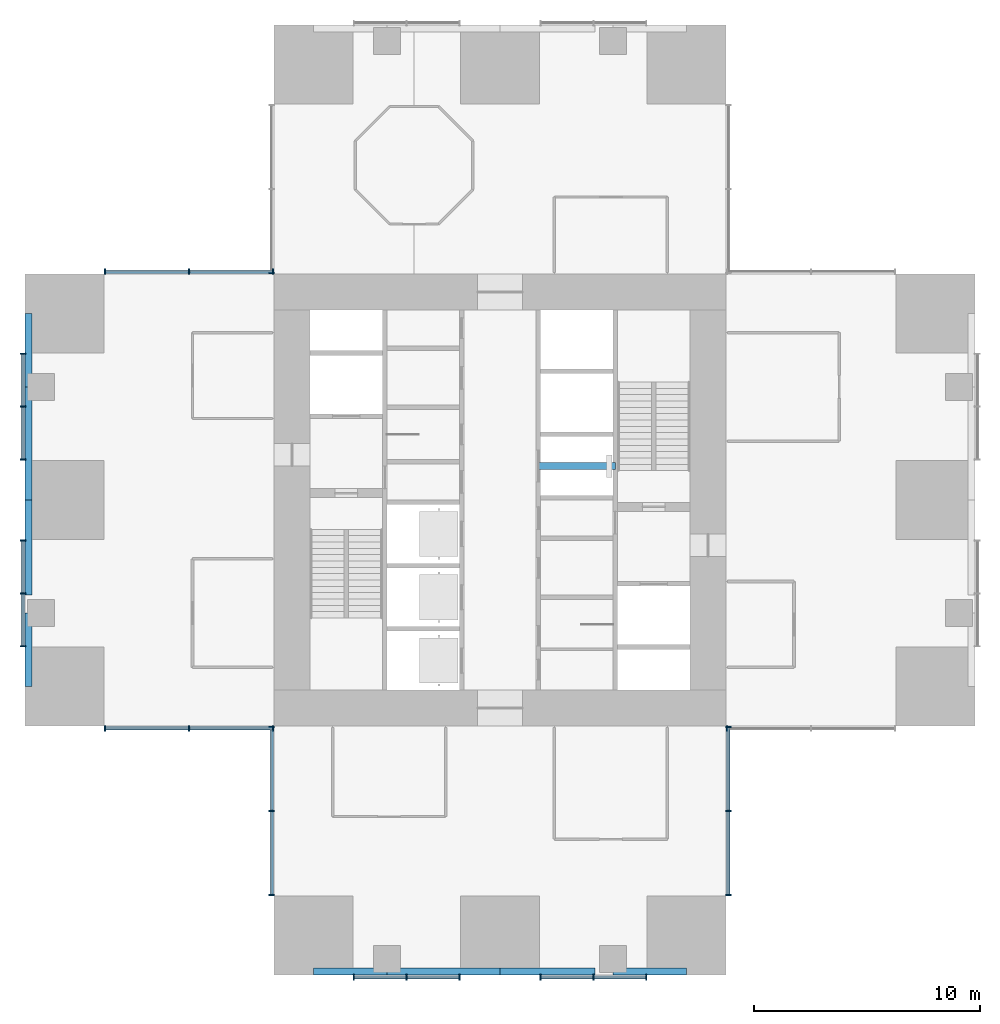
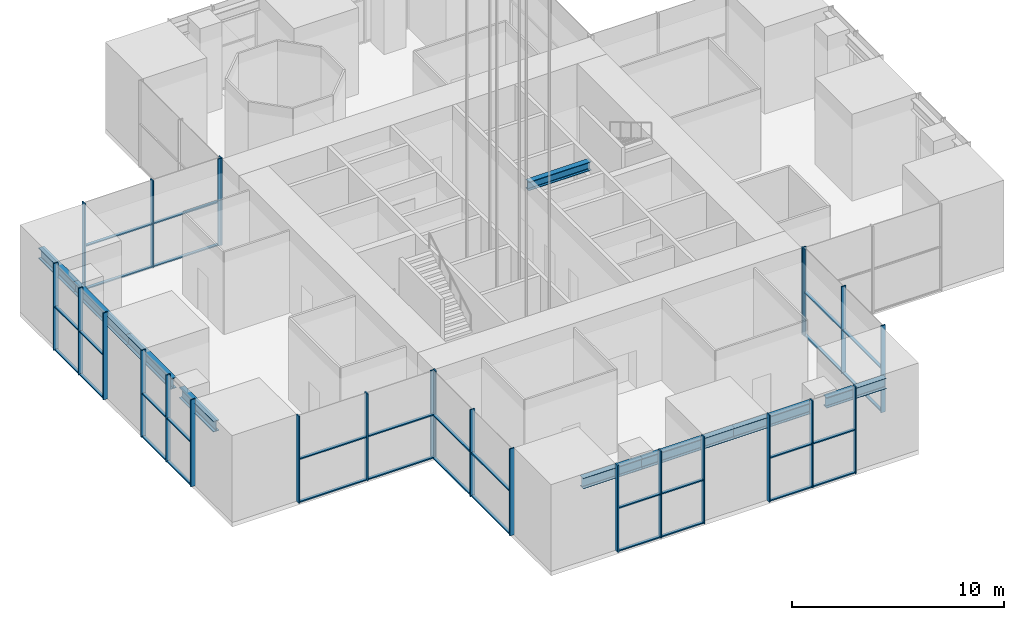
# One storey, part 2 of 16: 58 members, 9 beams, 10 elements without a shape of their own.
"""IFC4 building model written with IfcOpenShell, lengths in metres."""

from ifc_helpers import new_model, si_unit, direction, frame, origin, origin_2d, place, context, subcontext, project, spatial, rectangle, i_section, extrude, material, material_profile, profile_set, type_object, element, aggregate, save


model = new_model("IFC4")

# Units and contexts
model_context = context("Model", 3, precision=1e-05, world=origin(), true_north=direction((0.0, 1.0)))
body_context = subcontext(model_context, "Body", "Model", "MODEL_VIEW")
ifc_project = project(units=[si_unit("LENGTHUNIT", "METRE"), si_unit("AREAUNIT", "SQUARE_METRE"), si_unit("VOLUMEUNIT", "CUBIC_METRE"), si_unit("PLANEANGLEUNIT", "RADIAN"), si_unit("MASSUNIT", "GRAM", prefix="KILO")], contexts=[model_context])

# Site, building, storey
site_placement = place(None, origin())
site = spatial("IfcSite", under=ifc_project, at=site_placement, CompositionType="ELEMENT")
building_placement = place(site_placement, origin())
building = spatial("IfcBuilding", under=site, at=building_placement, Name="Svetlomir Tower", CompositionType="ELEMENT")
storey_placement = place(building_placement, frame((0.0, 0.0, 91.5)))
storey = spatial("IfcBuildingStorey", under=building, at=storey_placement, Name="L21", CompositionType="ELEMENT", Elevation=91.5)

# Curtain wall, members
ifc_material_1 = material(Name="Bronze anodised aluminium curtain wall", Category="aluminium")
curtain_wall_type = type_object("IfcCurtainWallType", Name="CURTAIN WALL CW2 SKY LOBBY", PredefinedType="NOTDEFINED", material=ifc_material_1)
curtain_wall_1_placement = place(storey_placement, origin())
curtain_wall_1 = element("IfcCurtainWall", 1, at=curtain_wall_1_placement, inside=storey, type_object=curtain_wall_type, Name="Curtain wall CW2 L21", PredefinedType="NOTDEFINED")
ifc_material_2 = material(Name="Bronze anodised aluminium", Category="aluminium")
ifc_material_profile_1 = material_profile(ifc_material_2, rectangle(XDim=0.06494140625, YDim=0.25, at=origin_2d()), Name="AL 65x250")
ifc_profile_set_1 = profile_set([ifc_material_profile_1], Name="Bronze anodised aluminium 6063-T6")
member_type_1 = type_object("IfcMemberType", Name="CW2 MULLION 65x250", PredefinedType="MULLION", material=ifc_profile_set_1)
member_1_placement = place(storey_placement, frame((14.532470703125, -0.10009765625, 0.0), z_axis=(0.0, 0.0, 1.0), x_axis=(1.0, 0.0, 0.0)))
member_1 = element("IfcMember", 2, at=member_1_placement, type_object=member_type_1, Name="CW2 mullion 1", PredefinedType="MULLION", context=body_context, shape_type="SweptSolid", body=[
    extrude(rectangle(XDim=0.06494140625, YDim=0.25, at=origin_2d()), origin(), (0.0, 0.0, 1.0), 5.0),
])
member_2_placement = place(storey_placement, frame((16.875, -0.10009765625, 0.0), z_axis=(0.0, 0.0, 1.0), x_axis=(1.0, 0.0, 0.0)))
member_2 = element("IfcMember", 3, at=member_2_placement, type_object=member_type_1, Name="CW2 mullion 2", PredefinedType="MULLION", context=body_context, shape_type="SweptSolid", body=[
    extrude(rectangle(XDim=0.06494140625, YDim=0.25, at=origin_2d()), origin(), (0.0, 0.0, 1.0), 5.0),
])
member_3_placement = place(storey_placement, frame((19.217529296875, -0.10009765625, 0.0), z_axis=(0.0, 0.0, 1.0), x_axis=(1.0, 0.0, 0.0)))
member_3 = element("IfcMember", 4, at=member_3_placement, type_object=member_type_1, Name="CW2 mullion 3", PredefinedType="MULLION", context=body_context, shape_type="SweptSolid", body=[
    extrude(rectangle(XDim=0.06494140625, YDim=0.25, at=origin_2d()), origin(), (0.0, 0.0, 1.0), 5.0),
])

curtain_wall_2_placement = place(storey_placement, origin())
curtain_wall_2 = element("IfcCurtainWall", 5, at=curtain_wall_2_placement, inside=storey, type_object=curtain_wall_type, Name="Curtain wall CW2 L21", PredefinedType="NOTDEFINED")
member_4_placement = place(storey_placement, frame((22.782470703125, -0.10009765625, 0.0), z_axis=(0.0, 0.0, 1.0), x_axis=(1.0, 0.0, 0.0)))
member_4 = element("IfcMember", 6, at=member_4_placement, type_object=member_type_1, Name="CW2 mullion 1", PredefinedType="MULLION", context=body_context, shape_type="SweptSolid", body=[
    extrude(rectangle(XDim=0.06494140625, YDim=0.25, at=origin_2d()), origin(), (0.0, 0.0, 1.0), 5.0),
])
member_5_placement = place(storey_placement, frame((25.125, -0.10009765625, 0.0), z_axis=(0.0, 0.0, 1.0), x_axis=(1.0, 0.0, 0.0)))
member_5 = element("IfcMember", 7, at=member_5_placement, type_object=member_type_1, Name="CW2 mullion 2", PredefinedType="MULLION", context=body_context, shape_type="SweptSolid", body=[
    extrude(rectangle(XDim=0.06494140625, YDim=0.25, at=origin_2d()), origin(), (0.0, 0.0, 1.0), 5.0),
])
member_6_placement = place(storey_placement, frame((27.467529296875, -0.10009765625, 0.0), z_axis=(0.0, 0.0, 1.0), x_axis=(1.0, 0.0, 0.0)))
member_6 = element("IfcMember", 8, at=member_6_placement, type_object=member_type_1, Name="CW2 mullion 3", PredefinedType="MULLION", context=body_context, shape_type="SweptSolid", body=[
    extrude(rectangle(XDim=0.06494140625, YDim=0.25, at=origin_2d()), origin(), (0.0, 0.0, 1.0), 5.0),
])

curtain_wall_3_placement = place(storey_placement, origin())
curtain_wall_3 = element("IfcCurtainWall", 9, at=curtain_wall_3_placement, inside=storey, type_object=curtain_wall_type, Name="Curtain wall CW2 L21", PredefinedType="NOTDEFINED")
member_7_placement = place(storey_placement, frame((31.10009765625, 3.532470703125, 0.0), z_axis=(0.0, 0.0, 1.0), x_axis=(0.0, 1.0, 0.0)))
member_7 = element("IfcMember", 10, at=member_7_placement, type_object=member_type_1, Name="CW2 mullion 1", PredefinedType="MULLION", context=body_context, shape_type="SweptSolid", body=[
    extrude(rectangle(XDim=0.06494140625, YDim=0.25, at=origin_2d()), origin(), (0.0, 0.0, 1.0), 5.0),
])
member_8_placement = place(storey_placement, frame((31.10009765625, 7.25, 0.0), z_axis=(0.0, 0.0, 1.0), x_axis=(0.0, 1.0, 0.0)))
member_8 = element("IfcMember", 11, at=member_8_placement, type_object=member_type_1, Name="CW2 mullion 2", PredefinedType="MULLION", context=body_context, shape_type="SweptSolid", body=[
    extrude(rectangle(XDim=0.06494140625, YDim=0.25, at=origin_2d()), origin(), (0.0, 0.0, 1.0), 5.0),
])
member_9_placement = place(storey_placement, frame((31.10009765625, 10.967529296875, 0.0), z_axis=(0.0, 0.0, 1.0), x_axis=(0.0, 1.0, 0.0)))
member_9 = element("IfcMember", 12, at=member_9_placement, type_object=member_type_1, Name="CW2 mullion 3", PredefinedType="MULLION", context=body_context, shape_type="SweptSolid", body=[
    extrude(rectangle(XDim=0.06494140625, YDim=0.25, at=origin_2d()), origin(), (0.0, 0.0, 1.0), 5.0),
])

# Curtain wall, member
curtain_wall_4_placement = place(storey_placement, origin())
curtain_wall_4 = element("IfcCurtainWall", 13, at=curtain_wall_4_placement, inside=storey, type_object=curtain_wall_type, Name="Curtain wall CW2 L21", PredefinedType="NOTDEFINED")
member_10_placement = place(storey_placement, frame((31.032470703125, 10.89990234375, 0.0), z_axis=(0.0, 0.0, 1.0), x_axis=(1.0, 0.0, 0.0)))
member_10 = element("IfcMember", 14, at=member_10_placement, type_object=member_type_1, Name="CW2 mullion 1", PredefinedType="MULLION", context=body_context, shape_type="SweptSolid", body=[
    extrude(rectangle(XDim=0.06494140625, YDim=0.25, at=origin_2d()), origin(), (0.0, 0.0, 1.0), 5.0),
])
aggregate(curtain_wall_4, [member_10])

curtain_wall_5_placement = place(storey_placement, origin())
curtain_wall_5 = element("IfcCurtainWall", 15, at=curtain_wall_5_placement, inside=storey, type_object=curtain_wall_type, Name="Curtain wall CW2 L21", PredefinedType="NOTDEFINED")
member_11_placement = place(storey_placement, frame((10.89990234375, 31.032470703125, 0.0), z_axis=(0.0, 0.0, 1.0), x_axis=(0.0, -1.0, 0.0)))
member_11 = element("IfcMember", 16, at=member_11_placement, type_object=member_type_1, Name="CW2 mullion 3", PredefinedType="MULLION", context=body_context, shape_type="SweptSolid", body=[
    extrude(rectangle(XDim=0.06494140625, YDim=0.25, at=origin_2d()), origin(), (0.0, 0.0, 1.0), 5.0),
])
aggregate(curtain_wall_5, [member_11])

# Curtain wall, members
curtain_wall_6_placement = place(storey_placement, origin())
curtain_wall_6 = element("IfcCurtainWall", 17, at=curtain_wall_6_placement, inside=storey, type_object=curtain_wall_type, Name="Curtain wall CW2 L21", PredefinedType="NOTDEFINED")
member_12_placement = place(storey_placement, frame((10.967529296875, 31.10009765625, 0.0), z_axis=(0.0, 0.0, 1.0), x_axis=(-1.0, 0.0, 0.0)))
member_12 = element("IfcMember", 18, at=member_12_placement, type_object=member_type_1, Name="CW2 mullion 1", PredefinedType="MULLION", context=body_context, shape_type="SweptSolid", body=[
    extrude(rectangle(XDim=0.06494140625, YDim=0.25, at=origin_2d()), origin(), (0.0, 0.0, 1.0), 5.0),
])
member_13_placement = place(storey_placement, frame((7.25, 31.10009765625, 0.0), z_axis=(0.0, 0.0, 1.0), x_axis=(-1.0, 0.0, 0.0)))
member_13 = element("IfcMember", 19, at=member_13_placement, type_object=member_type_1, Name="CW2 mullion 2", PredefinedType="MULLION", context=body_context, shape_type="SweptSolid", body=[
    extrude(rectangle(XDim=0.06494140625, YDim=0.25, at=origin_2d()), origin(), (0.0, 0.0, 1.0), 5.0),
])
member_14_placement = place(storey_placement, frame((3.532470703125, 31.10009765625, 0.0), z_axis=(0.0, 0.0, 1.0), x_axis=(-1.0, 0.0, 0.0)))
member_14 = element("IfcMember", 20, at=member_14_placement, type_object=member_type_1, Name="CW2 mullion 3", PredefinedType="MULLION", context=body_context, shape_type="SweptSolid", body=[
    extrude(rectangle(XDim=0.06494140625, YDim=0.25, at=origin_2d()), origin(), (0.0, 0.0, 1.0), 5.0),
])

curtain_wall_7_placement = place(storey_placement, origin())
curtain_wall_7 = element("IfcCurtainWall", 21, at=curtain_wall_7_placement, inside=storey, type_object=curtain_wall_type, Name="Curtain wall CW2 L21", PredefinedType="NOTDEFINED")
member_15_placement = place(storey_placement, frame((-0.10009765625, 27.467529296875, 0.0), z_axis=(0.0, 0.0, 1.0), x_axis=(0.0, -1.0, 0.0)))
member_15 = element("IfcMember", 22, at=member_15_placement, type_object=member_type_1, Name="CW2 mullion 1", PredefinedType="MULLION", context=body_context, shape_type="SweptSolid", body=[
    extrude(rectangle(XDim=0.06494140625, YDim=0.25, at=origin_2d()), origin(), (0.0, 0.0, 1.0), 5.0),
])
member_16_placement = place(storey_placement, frame((-0.10009765625, 25.125, 0.0), z_axis=(0.0, 0.0, 1.0), x_axis=(0.0, -1.0, 0.0)))
member_16 = element("IfcMember", 23, at=member_16_placement, type_object=member_type_1, Name="CW2 mullion 2", PredefinedType="MULLION", context=body_context, shape_type="SweptSolid", body=[
    extrude(rectangle(XDim=0.06494140625, YDim=0.25, at=origin_2d()), origin(), (0.0, 0.0, 1.0), 5.0),
])
member_17_placement = place(storey_placement, frame((-0.10009765625, 22.782470703125, 0.0), z_axis=(0.0, 0.0, 1.0), x_axis=(0.0, -1.0, 0.0)))
member_17 = element("IfcMember", 24, at=member_17_placement, type_object=member_type_1, Name="CW2 mullion 3", PredefinedType="MULLION", context=body_context, shape_type="SweptSolid", body=[
    extrude(rectangle(XDim=0.06494140625, YDim=0.25, at=origin_2d()), origin(), (0.0, 0.0, 1.0), 5.0),
])

curtain_wall_8_placement = place(storey_placement, origin())
curtain_wall_8 = element("IfcCurtainWall", 25, at=curtain_wall_8_placement, inside=storey, type_object=curtain_wall_type, Name="Curtain wall CW2 L21", PredefinedType="NOTDEFINED")
member_18_placement = place(storey_placement, frame((-0.10009765625, 19.217529296875, 0.0), z_axis=(0.0, 0.0, 1.0), x_axis=(0.0, -1.0, 0.0)))
member_18 = element("IfcMember", 26, at=member_18_placement, type_object=member_type_1, Name="CW2 mullion 1", PredefinedType="MULLION", context=body_context, shape_type="SweptSolid", body=[
    extrude(rectangle(XDim=0.06494140625, YDim=0.25, at=origin_2d()), origin(), (0.0, 0.0, 1.0), 5.0),
])
member_19_placement = place(storey_placement, frame((-0.10009765625, 16.875, 0.0), z_axis=(0.0, 0.0, 1.0), x_axis=(0.0, -1.0, 0.0)))
member_19 = element("IfcMember", 27, at=member_19_placement, type_object=member_type_1, Name="CW2 mullion 2", PredefinedType="MULLION", context=body_context, shape_type="SweptSolid", body=[
    extrude(rectangle(XDim=0.06494140625, YDim=0.25, at=origin_2d()), origin(), (0.0, 0.0, 1.0), 5.0),
])
member_20_placement = place(storey_placement, frame((-0.10009765625, 14.532470703125, 0.0), z_axis=(0.0, 0.0, 1.0), x_axis=(0.0, -1.0, 0.0)))
member_20 = element("IfcMember", 28, at=member_20_placement, type_object=member_type_1, Name="CW2 mullion 3", PredefinedType="MULLION", context=body_context, shape_type="SweptSolid", body=[
    extrude(rectangle(XDim=0.06494140625, YDim=0.25, at=origin_2d()), origin(), (0.0, 0.0, 1.0), 5.0),
])

curtain_wall_9_placement = place(storey_placement, origin())
curtain_wall_9 = element("IfcCurtainWall", 29, at=curtain_wall_9_placement, inside=storey, type_object=curtain_wall_type, Name="Curtain wall CW2 L21", PredefinedType="NOTDEFINED")
member_21_placement = place(storey_placement, frame((3.532470703125, 10.89990234375, 0.0), z_axis=(0.0, 0.0, 1.0), x_axis=(1.0, 0.0, 0.0)))
member_21 = element("IfcMember", 30, at=member_21_placement, type_object=member_type_1, Name="CW2 mullion 1", PredefinedType="MULLION", context=body_context, shape_type="SweptSolid", body=[
    extrude(rectangle(XDim=0.06494140625, YDim=0.25, at=origin_2d()), origin(), (0.0, 0.0, 1.0), 5.0),
])
member_22_placement = place(storey_placement, frame((7.25, 10.89990234375, 0.0), z_axis=(0.0, 0.0, 1.0), x_axis=(1.0, 0.0, 0.0)))
member_22 = element("IfcMember", 31, at=member_22_placement, type_object=member_type_1, Name="CW2 mullion 2", PredefinedType="MULLION", context=body_context, shape_type="SweptSolid", body=[
    extrude(rectangle(XDim=0.06494140625, YDim=0.25, at=origin_2d()), origin(), (0.0, 0.0, 1.0), 5.0),
])
member_23_placement = place(storey_placement, frame((10.967529296875, 10.89990234375, 0.0), z_axis=(0.0, 0.0, 1.0), x_axis=(1.0, 0.0, 0.0)))
member_23 = element("IfcMember", 32, at=member_23_placement, type_object=member_type_1, Name="CW2 mullion 3", PredefinedType="MULLION", context=body_context, shape_type="SweptSolid", body=[
    extrude(rectangle(XDim=0.06494140625, YDim=0.25, at=origin_2d()), origin(), (0.0, 0.0, 1.0), 5.0),
])

curtain_wall_10_placement = place(storey_placement, origin())
curtain_wall_10 = element("IfcCurtainWall", 33, at=curtain_wall_10_placement, inside=storey, type_object=curtain_wall_type, Name="Curtain wall CW2 L21", PredefinedType="NOTDEFINED")
member_24_placement = place(storey_placement, frame((10.89990234375, 10.967529296875, 0.0), z_axis=(0.0, 0.0, 1.0), x_axis=(0.0, -1.0, 0.0)))
member_24 = element("IfcMember", 34, at=member_24_placement, type_object=member_type_1, Name="CW2 mullion 1", PredefinedType="MULLION", context=body_context, shape_type="SweptSolid", body=[
    extrude(rectangle(XDim=0.06494140625, YDim=0.25, at=origin_2d()), origin(), (0.0, 0.0, 1.0), 5.0),
])
member_25_placement = place(storey_placement, frame((10.89990234375, 7.25, 0.0), z_axis=(0.0, 0.0, 1.0), x_axis=(0.0, -1.0, 0.0)))
member_25 = element("IfcMember", 35, at=member_25_placement, type_object=member_type_1, Name="CW2 mullion 2", PredefinedType="MULLION", context=body_context, shape_type="SweptSolid", body=[
    extrude(rectangle(XDim=0.06494140625, YDim=0.25, at=origin_2d()), origin(), (0.0, 0.0, 1.0), 5.0),
])
member_26_placement = place(storey_placement, frame((10.89990234375, 3.532470703125, 0.0), z_axis=(0.0, 0.0, 1.0), x_axis=(0.0, -1.0, 0.0)))
member_26 = element("IfcMember", 36, at=member_26_placement, type_object=member_type_1, Name="CW2 mullion 3", PredefinedType="MULLION", context=body_context, shape_type="SweptSolid", body=[
    extrude(rectangle(XDim=0.06494140625, YDim=0.25, at=origin_2d()), origin(), (0.0, 0.0, 1.0), 5.0),
])

# Member
ifc_material_3 = material(Name="Bronze anodised aluminium", Category="aluminium")
ifc_material_profile_2 = material_profile(ifc_material_3, rectangle(XDim=0.159912109375, YDim=0.06494140625, at=origin_2d()), Name="AL 160x65")
ifc_profile_set_2 = profile_set([ifc_material_profile_2], Name="Bronze anodised aluminium 6063-T6")
member_type_2 = type_object("IfcMemberType", Name="CW2 TRANSOM 65x160", PredefinedType="USERDEFINED", material=ifc_profile_set_2)
member_27_placement = place(storey_placement, frame((14.56494140625, -0.10009765625, 0.032470703125), z_axis=(1.0, 0.0, 0.0), x_axis=(0.0, 1.0, 0.0)))
member_27 = element("IfcMember", 37, at=member_27_placement, type_object=member_type_2, Name="CW2 transom 1.1", ObjectType="TRANSOM", PredefinedType="USERDEFINED", context=body_context, shape_type="SweptSolid", body=[
    extrude(rectangle(XDim=0.159912109375, YDim=0.06494140625, at=origin_2d()), origin(), (0.0, 0.0, 1.0), 2.277587890625),
])

member_28_placement = place(storey_placement, frame((14.56494140625, -0.10009765625, 2.5), z_axis=(1.0, 0.0, 0.0), x_axis=(0.0, 1.0, 0.0)))
member_28 = element("IfcMember", 38, at=member_28_placement, type_object=member_type_2, Name="CW2 transom 1.2", ObjectType="TRANSOM", PredefinedType="USERDEFINED", context=body_context, shape_type="SweptSolid", body=[
    extrude(rectangle(XDim=0.159912109375, YDim=0.06494140625, at=origin_2d()), origin(), (0.0, 0.0, 1.0), 2.277587890625),
])

member_29_placement = place(storey_placement, frame((16.907470703125, -0.10009765625, 0.032470703125), z_axis=(1.0, 0.0, 0.0), x_axis=(0.0, 1.0, 0.0)))
member_29 = element("IfcMember", 39, at=member_29_placement, type_object=member_type_2, Name="CW2 transom 2.1", ObjectType="TRANSOM", PredefinedType="USERDEFINED", context=body_context, shape_type="SweptSolid", body=[
    extrude(rectangle(XDim=0.159912109375, YDim=0.06494140625, at=origin_2d()), origin(), (0.0, 0.0, 1.0), 2.277587890625),
])

member_30_placement = place(storey_placement, frame((16.907470703125, -0.10009765625, 2.5), z_axis=(1.0, 0.0, 0.0), x_axis=(0.0, 1.0, 0.0)))
member_30 = element("IfcMember", 40, at=member_30_placement, type_object=member_type_2, Name="CW2 transom 2.2", ObjectType="TRANSOM", PredefinedType="USERDEFINED", context=body_context, shape_type="SweptSolid", body=[
    extrude(rectangle(XDim=0.159912109375, YDim=0.06494140625, at=origin_2d()), origin(), (0.0, 0.0, 1.0), 2.277587890625),
])

aggregate(curtain_wall_1, [member_1, member_2, member_3, member_27, member_28, member_29, member_30])

member_31_placement = place(storey_placement, frame((22.81494140625, -0.10009765625, 0.032470703125), z_axis=(1.0, 0.0, 0.0), x_axis=(0.0, 1.0, 0.0)))
member_31 = element("IfcMember", 41, at=member_31_placement, type_object=member_type_2, Name="CW2 transom 1.1", ObjectType="TRANSOM", PredefinedType="USERDEFINED", context=body_context, shape_type="SweptSolid", body=[
    extrude(rectangle(XDim=0.159912109375, YDim=0.06494140625, at=origin_2d()), origin(), (0.0, 0.0, 1.0), 2.277587890625),
])

member_32_placement = place(storey_placement, frame((22.81494140625, -0.10009765625, 2.5), z_axis=(1.0, 0.0, 0.0), x_axis=(0.0, 1.0, 0.0)))
member_32 = element("IfcMember", 42, at=member_32_placement, type_object=member_type_2, Name="CW2 transom 1.2", ObjectType="TRANSOM", PredefinedType="USERDEFINED", context=body_context, shape_type="SweptSolid", body=[
    extrude(rectangle(XDim=0.159912109375, YDim=0.06494140625, at=origin_2d()), origin(), (0.0, 0.0, 1.0), 2.277587890625),
])

member_33_placement = place(storey_placement, frame((25.157470703125, -0.10009765625, 0.032470703125), z_axis=(1.0, 0.0, 0.0), x_axis=(0.0, 1.0, 0.0)))
member_33 = element("IfcMember", 43, at=member_33_placement, type_object=member_type_2, Name="CW2 transom 2.1", ObjectType="TRANSOM", PredefinedType="USERDEFINED", context=body_context, shape_type="SweptSolid", body=[
    extrude(rectangle(XDim=0.159912109375, YDim=0.06494140625, at=origin_2d()), origin(), (0.0, 0.0, 1.0), 2.277587890625),
])

member_34_placement = place(storey_placement, frame((25.157470703125, -0.10009765625, 2.5), z_axis=(1.0, 0.0, 0.0), x_axis=(0.0, 1.0, 0.0)))
member_34 = element("IfcMember", 44, at=member_34_placement, type_object=member_type_2, Name="CW2 transom 2.2", ObjectType="TRANSOM", PredefinedType="USERDEFINED", context=body_context, shape_type="SweptSolid", body=[
    extrude(rectangle(XDim=0.159912109375, YDim=0.06494140625, at=origin_2d()), origin(), (0.0, 0.0, 1.0), 2.277587890625),
])

aggregate(curtain_wall_2, [member_4, member_5, member_6, member_31, member_32, member_33, member_34])

member_35_placement = place(storey_placement, frame((31.10009765625, 3.56494140625, 0.032470703125), z_axis=(0.0, 1.0, 0.0), x_axis=(-1.0, 0.0, 0.0)))
member_35 = element("IfcMember", 45, at=member_35_placement, type_object=member_type_2, Name="CW2 transom 1.1", ObjectType="TRANSOM", PredefinedType="USERDEFINED", context=body_context, shape_type="SweptSolid", body=[
    extrude(rectangle(XDim=0.159912109375, YDim=0.06494140625, at=origin_2d()), origin(), (0.0, 0.0, 1.0), 3.652587890625),
])

member_36_placement = place(storey_placement, frame((31.10009765625, 3.56494140625, 2.5), z_axis=(0.0, 1.0, 0.0), x_axis=(-1.0, 0.0, 0.0)))
member_36 = element("IfcMember", 46, at=member_36_placement, type_object=member_type_2, Name="CW2 transom 1.2", ObjectType="TRANSOM", PredefinedType="USERDEFINED", context=body_context, shape_type="SweptSolid", body=[
    extrude(rectangle(XDim=0.159912109375, YDim=0.06494140625, at=origin_2d()), origin(), (0.0, 0.0, 1.0), 3.652587890625),
])

member_37_placement = place(storey_placement, frame((31.10009765625, 7.282470703125, 0.032470703125), z_axis=(0.0, 1.0, 0.0), x_axis=(-1.0, 0.0, 0.0)))
member_37 = element("IfcMember", 47, at=member_37_placement, type_object=member_type_2, Name="CW2 transom 2.1", ObjectType="TRANSOM", PredefinedType="USERDEFINED", context=body_context, shape_type="SweptSolid", body=[
    extrude(rectangle(XDim=0.159912109375, YDim=0.06494140625, at=origin_2d()), origin(), (0.0, 0.0, 1.0), 3.652587890625),
])

member_38_placement = place(storey_placement, frame((31.10009765625, 7.282470703125, 2.5), z_axis=(0.0, 1.0, 0.0), x_axis=(-1.0, 0.0, 0.0)))
member_38 = element("IfcMember", 48, at=member_38_placement, type_object=member_type_2, Name="CW2 transom 2.2", ObjectType="TRANSOM", PredefinedType="USERDEFINED", context=body_context, shape_type="SweptSolid", body=[
    extrude(rectangle(XDim=0.159912109375, YDim=0.06494140625, at=origin_2d()), origin(), (0.0, 0.0, 1.0), 3.652587890625),
])

aggregate(curtain_wall_3, [member_7, member_8, member_9, member_35, member_36, member_37, member_38])

member_39_placement = place(storey_placement, frame((10.93505859375, 31.10009765625, 0.032470703125), z_axis=(-1.0, 0.0, 0.0), x_axis=(0.0, -1.0, 0.0)))
member_39 = element("IfcMember", 49, at=member_39_placement, type_object=member_type_2, Name="CW2 transom 1.1", ObjectType="TRANSOM", PredefinedType="USERDEFINED", context=body_context, shape_type="SweptSolid", body=[
    extrude(rectangle(XDim=0.159912109375, YDim=0.06494140625, at=origin_2d()), origin(), (0.0, 0.0, 1.0), 3.652587890625),
])

member_40_placement = place(storey_placement, frame((10.93505859375, 31.10009765625, 2.5), z_axis=(-1.0, 0.0, 0.0), x_axis=(0.0, -1.0, 0.0)))
member_40 = element("IfcMember", 50, at=member_40_placement, type_object=member_type_2, Name="CW2 transom 1.2", ObjectType="TRANSOM", PredefinedType="USERDEFINED", context=body_context, shape_type="SweptSolid", body=[
    extrude(rectangle(XDim=0.159912109375, YDim=0.06494140625, at=origin_2d()), origin(), (0.0, 0.0, 1.0), 3.652587890625),
])

member_41_placement = place(storey_placement, frame((7.217529296875, 31.10009765625, 0.032470703125), z_axis=(-1.0, 0.0, 0.0), x_axis=(0.0, -1.0, 0.0)))
member_41 = element("IfcMember", 51, at=member_41_placement, type_object=member_type_2, Name="CW2 transom 2.1", ObjectType="TRANSOM", PredefinedType="USERDEFINED", context=body_context, shape_type="SweptSolid", body=[
    extrude(rectangle(XDim=0.159912109375, YDim=0.06494140625, at=origin_2d()), origin(), (0.0, 0.0, 1.0), 3.652587890625),
])

member_42_placement = place(storey_placement, frame((7.217529296875, 31.10009765625, 2.5), z_axis=(-1.0, 0.0, 0.0), x_axis=(0.0, -1.0, 0.0)))
member_42 = element("IfcMember", 52, at=member_42_placement, type_object=member_type_2, Name="CW2 transom 2.2", ObjectType="TRANSOM", PredefinedType="USERDEFINED", context=body_context, shape_type="SweptSolid", body=[
    extrude(rectangle(XDim=0.159912109375, YDim=0.06494140625, at=origin_2d()), origin(), (0.0, 0.0, 1.0), 3.652587890625),
])

aggregate(curtain_wall_6, [member_12, member_13, member_14, member_39, member_40, member_41, member_42])

member_43_placement = place(storey_placement, frame((-0.10009765625, 27.43505859375, 0.032470703125), z_axis=(0.0, -1.0, 0.0), x_axis=(1.0, 0.0, 0.0)))
member_43 = element("IfcMember", 53, at=member_43_placement, type_object=member_type_2, Name="CW2 transom 1.1", ObjectType="TRANSOM", PredefinedType="USERDEFINED", context=body_context, shape_type="SweptSolid", body=[
    extrude(rectangle(XDim=0.159912109375, YDim=0.06494140625, at=origin_2d()), origin(), (0.0, 0.0, 1.0), 2.277587890625),
])

member_44_placement = place(storey_placement, frame((-0.10009765625, 27.43505859375, 2.5), z_axis=(0.0, -1.0, 0.0), x_axis=(1.0, 0.0, 0.0)))
member_44 = element("IfcMember", 54, at=member_44_placement, type_object=member_type_2, Name="CW2 transom 1.2", ObjectType="TRANSOM", PredefinedType="USERDEFINED", context=body_context, shape_type="SweptSolid", body=[
    extrude(rectangle(XDim=0.159912109375, YDim=0.06494140625, at=origin_2d()), origin(), (0.0, 0.0, 1.0), 2.277587890625),
])

member_45_placement = place(storey_placement, frame((-0.10009765625, 25.092529296875, 0.032470703125), z_axis=(0.0, -1.0, 0.0), x_axis=(1.0, 0.0, 0.0)))
member_45 = element("IfcMember", 55, at=member_45_placement, type_object=member_type_2, Name="CW2 transom 2.1", ObjectType="TRANSOM", PredefinedType="USERDEFINED", context=body_context, shape_type="SweptSolid", body=[
    extrude(rectangle(XDim=0.159912109375, YDim=0.06494140625, at=origin_2d()), origin(), (0.0, 0.0, 1.0), 2.277587890625),
])

member_46_placement = place(storey_placement, frame((-0.10009765625, 25.092529296875, 2.5), z_axis=(0.0, -1.0, 0.0), x_axis=(1.0, 0.0, 0.0)))
member_46 = element("IfcMember", 56, at=member_46_placement, type_object=member_type_2, Name="CW2 transom 2.2", ObjectType="TRANSOM", PredefinedType="USERDEFINED", context=body_context, shape_type="SweptSolid", body=[
    extrude(rectangle(XDim=0.159912109375, YDim=0.06494140625, at=origin_2d()), origin(), (0.0, 0.0, 1.0), 2.277587890625),
])

aggregate(curtain_wall_7, [member_15, member_16, member_17, member_43, member_44, member_45, member_46])

member_47_placement = place(storey_placement, frame((-0.10009765625, 19.18505859375, 0.032470703125), z_axis=(0.0, -1.0, 0.0), x_axis=(1.0, 0.0, 0.0)))
member_47 = element("IfcMember", 57, at=member_47_placement, type_object=member_type_2, Name="CW2 transom 1.1", ObjectType="TRANSOM", PredefinedType="USERDEFINED", context=body_context, shape_type="SweptSolid", body=[
    extrude(rectangle(XDim=0.159912109375, YDim=0.06494140625, at=origin_2d()), origin(), (0.0, 0.0, 1.0), 2.277587890625),
])

member_48_placement = place(storey_placement, frame((-0.10009765625, 19.18505859375, 2.5), z_axis=(0.0, -1.0, 0.0), x_axis=(1.0, 0.0, 0.0)))
member_48 = element("IfcMember", 58, at=member_48_placement, type_object=member_type_2, Name="CW2 transom 1.2", ObjectType="TRANSOM", PredefinedType="USERDEFINED", context=body_context, shape_type="SweptSolid", body=[
    extrude(rectangle(XDim=0.159912109375, YDim=0.06494140625, at=origin_2d()), origin(), (0.0, 0.0, 1.0), 2.277587890625),
])

member_49_placement = place(storey_placement, frame((-0.10009765625, 16.842529296875, 0.032470703125), z_axis=(0.0, -1.0, 0.0), x_axis=(1.0, 0.0, 0.0)))
member_49 = element("IfcMember", 59, at=member_49_placement, type_object=member_type_2, Name="CW2 transom 2.1", ObjectType="TRANSOM", PredefinedType="USERDEFINED", context=body_context, shape_type="SweptSolid", body=[
    extrude(rectangle(XDim=0.159912109375, YDim=0.06494140625, at=origin_2d()), origin(), (0.0, 0.0, 1.0), 2.277587890625),
])

member_50_placement = place(storey_placement, frame((-0.10009765625, 16.842529296875, 2.5), z_axis=(0.0, -1.0, 0.0), x_axis=(1.0, 0.0, 0.0)))
member_50 = element("IfcMember", 60, at=member_50_placement, type_object=member_type_2, Name="CW2 transom 2.2", ObjectType="TRANSOM", PredefinedType="USERDEFINED", context=body_context, shape_type="SweptSolid", body=[
    extrude(rectangle(XDim=0.159912109375, YDim=0.06494140625, at=origin_2d()), origin(), (0.0, 0.0, 1.0), 2.277587890625),
])

aggregate(curtain_wall_8, [member_18, member_19, member_20, member_47, member_48, member_49, member_50])

member_51_placement = place(storey_placement, frame((3.56494140625, 10.89990234375, 0.032470703125), z_axis=(1.0, 0.0, 0.0), x_axis=(0.0, 1.0, 0.0)))
member_51 = element("IfcMember", 61, at=member_51_placement, type_object=member_type_2, Name="CW2 transom 1.1", ObjectType="TRANSOM", PredefinedType="USERDEFINED", context=body_context, shape_type="SweptSolid", body=[
    extrude(rectangle(XDim=0.159912109375, YDim=0.06494140625, at=origin_2d()), origin(), (0.0, 0.0, 1.0), 3.652587890625),
])

member_52_placement = place(storey_placement, frame((3.56494140625, 10.89990234375, 2.5), z_axis=(1.0, 0.0, 0.0), x_axis=(0.0, 1.0, 0.0)))
member_52 = element("IfcMember", 62, at=member_52_placement, type_object=member_type_2, Name="CW2 transom 1.2", ObjectType="TRANSOM", PredefinedType="USERDEFINED", context=body_context, shape_type="SweptSolid", body=[
    extrude(rectangle(XDim=0.159912109375, YDim=0.06494140625, at=origin_2d()), origin(), (0.0, 0.0, 1.0), 3.652587890625),
])

member_53_placement = place(storey_placement, frame((7.282470703125, 10.89990234375, 0.032470703125), z_axis=(1.0, 0.0, 0.0), x_axis=(0.0, 1.0, 0.0)))
member_53 = element("IfcMember", 63, at=member_53_placement, type_object=member_type_2, Name="CW2 transom 2.1", ObjectType="TRANSOM", PredefinedType="USERDEFINED", context=body_context, shape_type="SweptSolid", body=[
    extrude(rectangle(XDim=0.159912109375, YDim=0.06494140625, at=origin_2d()), origin(), (0.0, 0.0, 1.0), 3.652587890625),
])

member_54_placement = place(storey_placement, frame((7.282470703125, 10.89990234375, 2.5), z_axis=(1.0, 0.0, 0.0), x_axis=(0.0, 1.0, 0.0)))
member_54 = element("IfcMember", 64, at=member_54_placement, type_object=member_type_2, Name="CW2 transom 2.2", ObjectType="TRANSOM", PredefinedType="USERDEFINED", context=body_context, shape_type="SweptSolid", body=[
    extrude(rectangle(XDim=0.159912109375, YDim=0.06494140625, at=origin_2d()), origin(), (0.0, 0.0, 1.0), 3.652587890625),
])

aggregate(curtain_wall_9, [member_21, member_22, member_23, member_51, member_52, member_53, member_54])

member_55_placement = place(storey_placement, frame((10.89990234375, 10.93505859375, 0.032470703125), z_axis=(0.0, -1.0, 0.0), x_axis=(1.0, 0.0, 0.0)))
member_55 = element("IfcMember", 65, at=member_55_placement, type_object=member_type_2, Name="CW2 transom 1.1", ObjectType="TRANSOM", PredefinedType="USERDEFINED", context=body_context, shape_type="SweptSolid", body=[
    extrude(rectangle(XDim=0.159912109375, YDim=0.06494140625, at=origin_2d()), origin(), (0.0, 0.0, 1.0), 3.652587890625),
])

member_56_placement = place(storey_placement, frame((10.89990234375, 10.93505859375, 2.5), z_axis=(0.0, -1.0, 0.0), x_axis=(1.0, 0.0, 0.0)))
member_56 = element("IfcMember", 66, at=member_56_placement, type_object=member_type_2, Name="CW2 transom 1.2", ObjectType="TRANSOM", PredefinedType="USERDEFINED", context=body_context, shape_type="SweptSolid", body=[
    extrude(rectangle(XDim=0.159912109375, YDim=0.06494140625, at=origin_2d()), origin(), (0.0, 0.0, 1.0), 3.652587890625),
])

member_57_placement = place(storey_placement, frame((10.89990234375, 7.217529296875, 0.032470703125), z_axis=(0.0, -1.0, 0.0), x_axis=(1.0, 0.0, 0.0)))
member_57 = element("IfcMember", 67, at=member_57_placement, type_object=member_type_2, Name="CW2 transom 2.1", ObjectType="TRANSOM", PredefinedType="USERDEFINED", context=body_context, shape_type="SweptSolid", body=[
    extrude(rectangle(XDim=0.159912109375, YDim=0.06494140625, at=origin_2d()), origin(), (0.0, 0.0, 1.0), 3.652587890625),
])

member_58_placement = place(storey_placement, frame((10.89990234375, 7.217529296875, 2.5), z_axis=(0.0, -1.0, 0.0), x_axis=(1.0, 0.0, 0.0)))
member_58 = element("IfcMember", 68, at=member_58_placement, type_object=member_type_2, Name="CW2 transom 2.2", ObjectType="TRANSOM", PredefinedType="USERDEFINED", context=body_context, shape_type="SweptSolid", body=[
    extrude(rectangle(XDim=0.159912109375, YDim=0.06494140625, at=origin_2d()), origin(), (0.0, 0.0, 1.0), 3.652587890625),
])

aggregate(curtain_wall_10, [member_24, member_25, member_26, member_55, member_56, member_57, member_58])

# Beams
ifc_material_4 = material(Name="Steel S355", Category="steel")
ifc_material_profile_3 = material_profile(ifc_material_4, i_section(OverallWidth=0.304931640625, OverallDepth=0.6201171875, WebThickness=0.02099609375, FlangeThickness=0.0400390625, FilletRadius=0.027099609375, at=origin_2d()), Name="HEM 600")
ifc_profile_set_3 = profile_set([ifc_material_profile_3], Name="Steel S355")
beam_type_1 = type_object("IfcBeamType", Name="EDGE BEAM HEM 600", PredefinedType="SPANDREL", material=ifc_profile_set_3)
for number, where, z_axis, x_axis, name in (
    (69, (12.75, 0.152587890625, 4.43994140625), (1.0, 0.0, 0.0), (0.0, 1.0, 0.0), "Edge beam 11/0 to 16/0 under L22"),
    (70, (0.152587890625, 12.75, 4.43994140625), (0.0, 1.0, 0.0), (-1.0, 0.0, 0.0), "Edge beam 0/11 to 0/16 under L22"),
):
    element("IfcBeam", number, at=place(storey_placement, frame(where, z_axis=z_axis, x_axis=x_axis)), inside=storey, type_object=beam_type_1, Name=name, PredefinedType="SPANDREL", context=body_context, shape_type="SweptSolid", body=[
        extrude(i_section(OverallWidth=0.304931640625, OverallDepth=0.6201171875, WebThickness=0.02099609375, FlangeThickness=0.0400390625, FilletRadius=0.027099609375, at=origin_2d()), origin(), (0.0, 0.0, 1.0), 3.25),
    ])
beam_1_placement = place(storey_placement, frame((16.0, 0.152587890625, 4.43994140625), z_axis=(1.0, 0.0, 0.0), x_axis=(0.0, 1.0, 0.0)))
element("IfcBeam", 71, at=beam_1_placement, inside=storey, type_object=beam_type_1, Name="Edge beam 16/0 to 21/0 under L22", PredefinedType="SPANDREL", context=body_context, shape_type="SweptSolid", body=[
    extrude(i_section(OverallWidth=0.304931640625, OverallDepth=0.6201171875, WebThickness=0.02099609375, FlangeThickness=0.0400390625, FilletRadius=0.027099609375, at=origin_2d()), origin(), (0.0, 0.0, 1.0), 5.0),
])
for number, where, z_axis, x_axis, name in (
    (72, (0.152587890625, 16.800048828125, 4.43994140625), (0.0, 1.0, 0.0), (-1.0, 0.0, 0.0), "Edge beam 0/16 to 0/21 under L22"),
    (73, (21.0, 0.152587890625, 4.43994140625), (1.0, 0.0, 0.0), (0.0, 1.0, 0.0), "Edge beam 21/0 to 26/0 under L22"),
):
    element("IfcBeam", number, at=place(storey_placement, frame(where, z_axis=z_axis, x_axis=x_axis)), inside=storey, type_object=beam_type_1, Name=name, PredefinedType="SPANDREL", context=body_context, shape_type="SweptSolid", body=[
        extrude(i_section(OverallWidth=0.304931640625, OverallDepth=0.6201171875, WebThickness=0.02099609375, FlangeThickness=0.0400390625, FilletRadius=0.027099609375, at=origin_2d()), origin(), (0.0, 0.0, 1.0), 4.199951171875),
    ])
beam_2_placement = place(storey_placement, frame((0.152587890625, 21.0, 4.43994140625), z_axis=(0.0, 1.0, 0.0), x_axis=(-1.0, 0.0, 0.0)))
element("IfcBeam", 74, at=beam_2_placement, inside=storey, type_object=beam_type_1, Name="Edge beam 0/21 to 0/26 under L22", PredefinedType="SPANDREL", context=body_context, shape_type="SweptSolid", body=[
    extrude(i_section(OverallWidth=0.304931640625, OverallDepth=0.6201171875, WebThickness=0.02099609375, FlangeThickness=0.0400390625, FilletRadius=0.027099609375, at=origin_2d()), origin(), (0.0, 0.0, 1.0), 5.0),
])
for number, where, z_axis, x_axis, name in (
    (75, (26.0, 0.152587890625, 4.43994140625), (1.0, 0.0, 0.0), (0.0, 1.0, 0.0), "Edge beam 26/0 to 31/0 under L22"),
    (76, (0.152587890625, 26.0, 4.43994140625), (0.0, 1.0, 0.0), (-1.0, 0.0, 0.0), "Edge beam 0/26 to 0/31 under L22"),
):
    element("IfcBeam", number, at=place(storey_placement, frame(where, z_axis=z_axis, x_axis=x_axis)), inside=storey, type_object=beam_type_1, Name=name, PredefinedType="SPANDREL", context=body_context, shape_type="SweptSolid", body=[
        extrude(i_section(OverallWidth=0.304931640625, OverallDepth=0.6201171875, WebThickness=0.02099609375, FlangeThickness=0.0400390625, FilletRadius=0.027099609375, at=origin_2d()), origin(), (0.0, 0.0, 1.0), 3.25),
    ])
ifc_material_5 = material(Name="Steel S355", Category="steel")
ifc_material_profile_4 = material_profile(ifc_material_5, i_section(OverallWidth=0.300048828125, OverallDepth=0.5, WebThickness=0.014404296875, FlangeThickness=0.028076171875, FilletRadius=0.027099609375, at=origin_2d()), Name="HEB 500")
ifc_profile_set_4 = profile_set([ifc_material_profile_4], Name="Steel S355")
beam_type_2 = type_object("IfcBeamType", Name="LIFTING BEAM HEB 500", PredefinedType="BEAM", material=ifc_profile_set_4)
beam_3_placement = place(storey_placement, frame((22.699951171875, 22.5, 4.5), z_axis=(1.0, 0.0, 0.0), x_axis=(0.0, 1.0, 0.0)))
element("IfcBeam", 77, at=beam_3_placement, inside=storey, type_object=beam_type_2, Name="Lifting beam over shaft BANK-E1", PredefinedType="BEAM", context=body_context, shape_type="SweptSolid", body=[
    extrude(i_section(OverallWidth=0.300048828125, OverallDepth=0.5, WebThickness=0.014404296875, FlangeThickness=0.028076171875, FilletRadius=0.027099609375, at=origin_2d()), origin(), (0.0, 0.0, 1.0), 3.400146484375),
])

save(model, "model.ifc")
